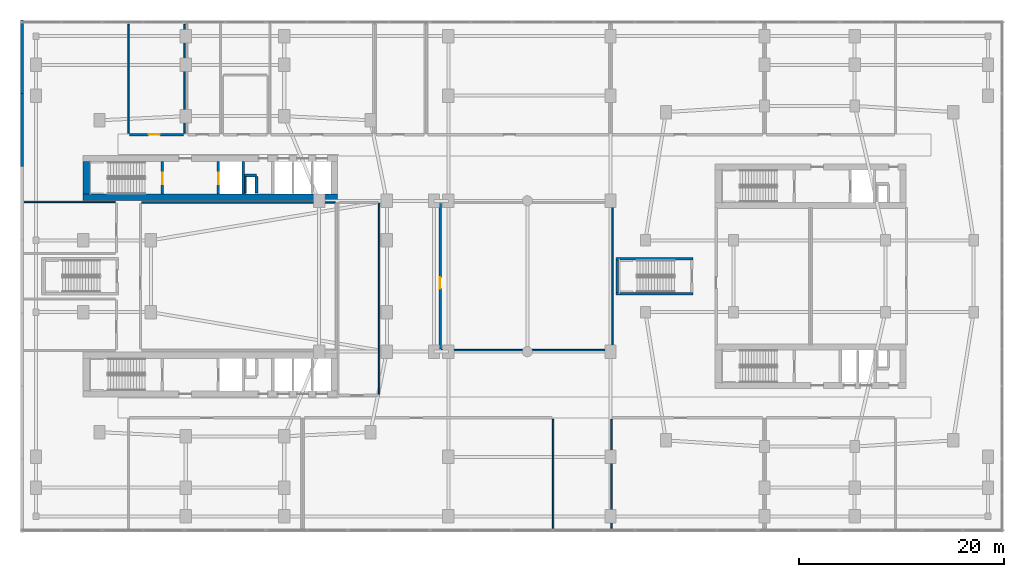
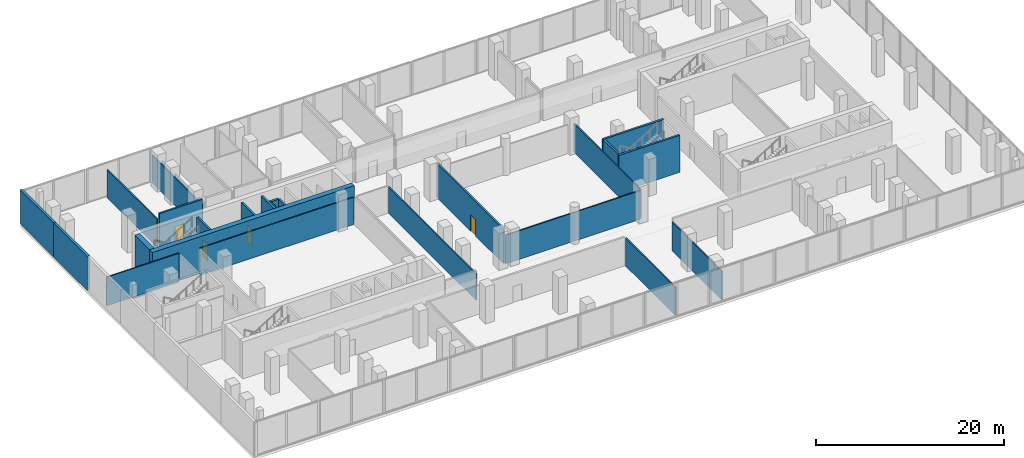
# One storey, part 14 of 23: 24 walls, 4 doors, 4 openings.
"""IFC4 building model written with IfcOpenShell, lengths in metres."""

from ifc_helpers import new_model, si_unit, derived_unit, direction, frame, frame_2d, origin, place, context, subcontext, project, spatial, rectangle, extrude, material, layer, layer_set, type_object, element, fill, save


model = new_model("IFC4")

# Units and contexts
model_context = context("Model", 3, precision=1e-05, world=origin(), true_north=direction((0.0, 1.0)))
body_context = subcontext(model_context, "Body", "Model", "MODEL_VIEW")
ifc_project = project(units=[si_unit("LENGTHUNIT", "METRE"), si_unit("AREAUNIT", "SQUARE_METRE"), si_unit("VOLUMEUNIT", "CUBIC_METRE"), si_unit("PLANEANGLEUNIT", "RADIAN"), si_unit("MASSUNIT", "GRAM", prefix="KILO"), derived_unit("THERMALTRANSMITTANCEUNIT", [(si_unit("POWERUNIT", "WATT"), 1), (si_unit("LENGTHUNIT", "METRE"), -2), (si_unit("THERMODYNAMICTEMPERATUREUNIT", "KELVIN"), -1)])], contexts=[model_context])

# Site, building, storey
site_placement = place(None, origin())
site = spatial("IfcSite", under=ifc_project, at=site_placement, CompositionType="ELEMENT")
building_placement = place(site_placement, origin())
building = spatial("IfcBuilding", under=site, at=building_placement, Name="Kivonza Crest Hotel", CompositionType="ELEMENT")
storey_placement = place(building_placement, frame((0.0, 0.0, 5.39990234375)))
storey = spatial("IfcBuildingStorey", under=building, at=storey_placement, Name="L01", CompositionType="ELEMENT", Elevation=5.39990234375)

# Wall, opening, door
ifc_material_1 = material(Name="Autoclaved aerated concrete blockwork", Category="masonry")
ifc_layer_1 = layer(ifc_material_1, 0.219970703125)
ifc_layer_set_1 = layer_set([ifc_layer_1], Name="Autoclaved aerated concrete blockwork")
wall_type_1 = type_object("IfcWallType", Name="WL-ACOU-220", PredefinedType="SOLIDWALL", material=ifc_layer_set_1)
wall_1_placement = place(storey_placement, frame((41.0, 17.89990234375, 0.0), z_axis=(0.0, 0.0, 1.0), x_axis=(0.0, 1.0, 0.0)))
wall_1 = element("IfcWall", 1, at=wall_1_placement, inside=storey, type_object=wall_type_1, Name="L01 interior partition WA-L01-RET-GAL-W", PredefinedType="SOLIDWALL", context=body_context, shape_type="SweptSolid", body=[
    extrude(rectangle(XDim=14.2001953125, YDim=0.219970703125, at=frame_2d((7.10009765625, 0.0))), origin(), (0.0, 0.0, 1.0), 4.4501953125),
])
opening_1_placement = place(wall_1_placement, frame((5.885009765625, 0.0, 0.0)))
opening_1 = element("IfcOpeningElement", 2, at=opening_1_placement, cuts=wall_1, Name="Opening DF-60M", PredefinedType="OPENING", context=body_context, shape_type="SweptSolid", body=[
    extrude(rectangle(XDim=1.10009765625, YDim=2.10009765625, at=frame_2d((0.550048828125, 1.050048828125))), frame((0.0, 0.1201171875, 0.0), z_axis=(0.0, -1.0, 0.0), x_axis=(1.0, 0.0, 0.0)), (0.0, 0.0, 1.0), 0.239990234375),
])
ifc_material_2 = material(Name="Hardwood timber oak", Category="wood")
door_type_1 = type_object("IfcDoorType", Name="DR-FD60-1100", OperationType="NOTDEFINED", PredefinedType="DOOR", material=ifc_material_2)
door_1_placement = place(opening_1_placement, frame((1.10009765625, 0.0, 0.0), z_axis=(0.0, 0.0, 1.0), x_axis=(-1.0, 0.0, 0.0)))
door_1 = element("IfcDoor", 3, at=door_1_placement, inside=storey, type_object=door_type_1, Name="L01 Upper Podium Retail Boutique door", OperationType="SINGLE_SWING_LEFT", OverallHeight=2.10009765625, OverallWidth=1.10009765625, PredefinedType="DOOR", context=body_context, shape_type="SweptSolid", body=[
    extrude(rectangle(XDim=1.10009765625, YDim=2.10009765625, at=frame_2d((0.550048828125, 1.050048828125))), frame((0.0, 0.02490234375, 0.0), z_axis=(0.0, -1.0, 0.0), x_axis=(1.0, 0.0, 0.0)), (0.0, 0.0, 1.0), 0.050048828125),
])
fill(opening_1, door_1)

wall_2_placement = place(storey_placement, frame((10.699951171875, 38.800048828125, 0.0), z_axis=(0.0, 0.0, 1.0), x_axis=(1.0, 0.0, 0.0)))
wall_2 = element("IfcWall", 4, at=wall_2_placement, inside=storey, type_object=wall_type_1, Name="L01 interior partition WA-L01-BOH-STR-S", PredefinedType="SOLIDWALL", context=body_context, shape_type="SweptSolid", body=[
    extrude(rectangle(XDim=5.300048828125, YDim=0.219970703125, at=frame_2d((2.64990234375, 0.0))), origin(), (0.0, 0.0, 1.0), 4.4501953125),
])
opening_2_placement = place(wall_2_placement, frame((1.8798828125, 0.0, 0.0)))
opening_2 = element("IfcOpeningElement", 5, at=opening_2_placement, cuts=wall_2, Name="Opening DF-60M", PredefinedType="OPENING", context=body_context, shape_type="SweptSolid", body=[
    extrude(rectangle(XDim=1.10009765625, YDim=2.10009765625, at=frame_2d((0.550048828125, 1.050048828125))), frame((0.0, 0.1201171875, 0.0), z_axis=(0.0, -1.0, 0.0), x_axis=(1.0, 0.0, 0.0)), (0.0, 0.0, 1.0), 0.239990234375),
])
door_2_placement = place(opening_2_placement, origin())
door_2 = element("IfcDoor", 6, at=door_2_placement, inside=storey, type_object=door_type_1, Name="L01 Banquet Tableware Store door", OperationType="SINGLE_SWING_LEFT", OverallHeight=2.10009765625, OverallWidth=1.10009765625, PredefinedType="DOOR", context=body_context, shape_type="SweptSolid", body=[
    extrude(rectangle(XDim=1.10009765625, YDim=2.10009765625, at=frame_2d((0.550048828125, 1.050048828125))), frame((0.0, 0.02490234375, 0.0), z_axis=(0.0, -1.0, 0.0), x_axis=(1.0, 0.0, 0.0)), (0.0, 0.0, 1.0), 0.050048828125),
])
fill(opening_2, door_2)

# Walls
ifc_material_3 = material(Name="Concrete C60/75", Category="concrete")
ifc_layer_2 = layer(ifc_material_3, 0.60009765625)
ifc_layer_set_2 = layer_set([ifc_layer_2], Name="Concrete C60/75")
wall_type_2 = type_object("IfcWallType", Name="WL-CORE-600", PredefinedType="SHEAR", material=ifc_layer_set_2)
wall_3_placement = place(storey_placement, frame((6.199951171875, 32.699951171875, 0.0), z_axis=(0.0, 0.0, 1.0), x_axis=(1.0, 0.0, 0.0)))
element("IfcWall", 7, at=wall_3_placement, inside=storey, type_object=wall_type_2, Name="Core wall T1-N South L01", PredefinedType="SHEAR", context=body_context, shape_type="SweptSolid", body=[
    extrude(rectangle(XDim=24.800048828125, YDim=0.60009765625, at=frame_2d((12.39990234375, 0.0))), origin(), (0.0, 0.0, 1.0), 4.800048828125),
])
wall_4_placement = place(storey_placement, frame((6.5, 33.0, 0.0), z_axis=(0.0, 0.0, 1.0), x_axis=(0.0, 1.0, 0.0)))
element("IfcWall", 8, at=wall_4_placement, inside=storey, type_object=wall_type_2, Name="Core wall T1-N West L01", PredefinedType="SHEAR", context=body_context, shape_type="SweptSolid", body=[
    extrude(rectangle(XDim=3.159912109375, YDim=0.60009765625, at=frame_2d((1.580078125, 0.0))), origin(), (0.0, 0.0, 1.0), 4.800048828125),
])
ifc_material_4 = material(Name="Precast concrete C40/50", Category="concrete")
ifc_layer_3 = layer(ifc_material_4, 0.300048828125)
ifc_layer_set_3 = layer_set([ifc_layer_3], Name="Precast concrete C40/50")
wall_type_3 = type_object("IfcWallType", Name="WL-EXT-300", PredefinedType="STANDARD", material=ifc_layer_set_3)
wall_5_placement = place(storey_placement, frame((0.22998046875, 49.97509765625, 0.0), z_axis=(0.0, 0.0, 1.0), x_axis=(0.0, -1.0, 0.0)))
element("IfcWall", 9, at=wall_5_placement, inside=storey, type_object=wall_type_3, Name="L01 POD exterior insulated wall 32", PredefinedType="STANDARD", context=body_context, shape_type="SweptSolid", body=[
    extrude(rectangle(XDim=7.18310546875, YDim=0.300048828125, at=frame_2d((3.591552734375, 0.0))), origin(), (0.0, 0.0, 1.0), 4.4501953125),
])
wall_6_placement = place(storey_placement, frame((0.22998046875, 42.80810546875, 0.0), z_axis=(0.0, 0.0, 1.0), x_axis=(0.0, -1.0, 0.0)))
element("IfcWall", 10, at=wall_6_placement, inside=storey, type_object=wall_type_3, Name="L01 POD exterior insulated wall 33", PredefinedType="STANDARD", context=body_context, shape_type="SweptSolid", body=[
    extrude(rectangle(XDim=7.135986328125, YDim=0.300048828125, at=frame_2d((3.56787109375, 0.0))), origin(), (0.0, 0.0, 1.0), 4.4501953125),
])
ifc_material_5 = material(Name="Concrete blockwork fire-compartment wall", Category="masonry")
ifc_layer_4 = layer(ifc_material_5, 0.25)
ifc_layer_set_4 = layer_set([ifc_layer_4], Name="Concrete blockwork fire-compartment wall")
wall_type_4 = type_object("IfcWallType", Name="WL-FIRE-250", PredefinedType="SOLIDWALL", material=ifc_layer_set_4)
wall_7_placement = place(storey_placement, frame((23.10009765625, 33.10009765625, 0.0), z_axis=(0.0, 0.0, 1.0), x_axis=(0.0, 1.0, 0.0)))
element("IfcWall", 11, at=wall_7_placement, inside=storey, type_object=wall_type_4, Name="L01 interior partition WA-L01-T1-N-MEPR-E", PredefinedType="SOLIDWALL", context=body_context, shape_type="SweptSolid", body=[
    extrude(rectangle(XDim=1.619873046875, YDim=0.25, at=frame_2d((0.81005859375, 0.0))), origin(), (0.0, 0.0, 1.0), 4.4501953125),
])
wall_8_placement = place(storey_placement, frame((21.949951171875, 34.820068359375, 0.0), z_axis=(0.0, 0.0, 1.0), x_axis=(1.0, 0.0, 0.0)))
element("IfcWall", 12, at=wall_8_placement, inside=storey, type_object=wall_type_4, Name="L01 interior partition WA-L01-T1-N-MEPR-H", PredefinedType="SOLIDWALL", context=body_context, shape_type="SweptSolid", body=[
    extrude(rectangle(XDim=1.150146484375, YDim=0.25, at=frame_2d((0.5751953125, 0.0))), origin(), (0.0, 0.0, 1.0), 4.4501953125),
])
ifc_material_6 = material(Name="Twin-stud acoustic gypsum board partition", Category="gypsum")
ifc_layer_5 = layer(ifc_material_6, 0.14990234375)
ifc_layer_set_5 = layer_set([ifc_layer_5], Name="Twin-stud acoustic gypsum board partition")
wall_type_5 = type_object("IfcWallType", Name="WL-PART-150", PredefinedType="PARTITIONING", material=ifc_layer_set_5)
wall_9_placement = place(storey_placement, frame((22.030029296875, 33.10009765625, 0.0), z_axis=(0.0, 0.0, 1.0), x_axis=(0.0, 1.0, 0.0)))
element("IfcWall", 13, at=wall_9_placement, inside=storey, type_object=wall_type_5, Name="L01 interior partition WA-L01-T1-N-MEPR-W", PredefinedType="PARTITIONING", context=body_context, shape_type="SweptSolid", body=[
    extrude(rectangle(XDim=1.619873046875, YDim=0.14990234375, at=frame_2d((0.81005859375, 0.0))), origin(), (0.0, 0.0, 1.0), 4.4501953125),
])
wall_10_placement = place(storey_placement, frame((11.89990234375, 32.199951171875, 0.0), z_axis=(0.0, 0.0, 1.0), x_axis=(1.0, 0.0, 0.0)))
element("IfcWall", 14, at=wall_10_placement, inside=storey, type_object=wall_type_5, Name="L01 interior partition WP-L01-DIN-ALL-BN", PredefinedType="PARTITIONING", context=body_context, shape_type="SweptSolid", body=[
    extrude(rectangle(XDim=18.85009765625, YDim=0.14990234375, at=frame_2d((9.425048828125, 0.0))), origin(), (0.0, 0.0, 1.0), 3.525146484375),
])
wall_11_placement = place(storey_placement, frame((35.050048828125, 13.5, 0.0), z_axis=(0.0, 0.0, 1.0), x_axis=(0.0, 1.0, 0.0)))
element("IfcWall", 15, at=wall_11_placement, inside=storey, type_object=wall_type_5, Name="L01 interior partition WP-L01-DIN-SPC-BE", PredefinedType="PARTITIONING", context=body_context, shape_type="SweptSolid", body=[
    extrude(rectangle(XDim=18.60009765625, YDim=0.14990234375, at=frame_2d((9.300048828125, 0.0))), origin(), (0.0, 0.0, 1.0), 3.425048828125),
])
wall_12_placement = place(storey_placement, frame((52.0, 0.449951171875, 0.0), z_axis=(0.0, 0.0, 1.0), x_axis=(0.0, 1.0, 0.0)))
element("IfcWall", 16, at=wall_12_placement, inside=storey, type_object=wall_type_5, Name="L01 interior partition WP-L01-FOY-1-BE", PredefinedType="PARTITIONING", context=body_context, shape_type="SweptSolid", body=[
    extrude(rectangle(XDim=10.60009765625, YDim=0.14990234375, at=frame_2d((5.300048828125, 0.0))), origin(), (0.0, 0.0, 1.0), 3.625),
])
wall_13_placement = place(storey_placement, frame((57.699951171875, 0.449951171875, 0.0), z_axis=(0.0, 0.0, 1.0), x_axis=(0.0, 1.0, 0.0)))
element("IfcWall", 17, at=wall_13_placement, inside=storey, type_object=wall_type_5, Name="L01 interior partition WP-L01-FOY-1M-BW", PredefinedType="PARTITIONING", context=body_context, shape_type="SweptSolid", body=[
    extrude(rectangle(XDim=10.60009765625, YDim=0.14990234375, at=frame_2d((5.300048828125, 0.0))), origin(), (0.0, 0.0, 1.0), 3.72509765625),
])
wall_14_placement = place(storey_placement, frame((57.800048828125, 17.89990234375, 0.0), z_axis=(0.0, 0.0, 1.0), x_axis=(0.0, 1.0, 0.0)))
element("IfcWall", 18, at=wall_14_placement, inside=storey, type_object=wall_type_5, Name="L01 interior partition WP-L01-RET-GAL-BE", PredefinedType="PARTITIONING", context=body_context, shape_type="SweptSolid", body=[
    extrude(rectangle(XDim=14.2001953125, YDim=0.14990234375, at=frame_2d((7.10009765625, 0.0))), origin(), (0.0, 0.0, 1.0), 3.72509765625),
])
wall_15_placement = place(storey_placement, frame((41.10009765625, 17.800048828125, 0.0), z_axis=(0.0, 0.0, 1.0), x_axis=(1.0, 0.0, 0.0)))
element("IfcWall", 19, at=wall_15_placement, inside=storey, type_object=wall_type_5, Name="L01 interior partition WP-L01-RET-GAL-BS", PredefinedType="PARTITIONING", context=body_context, shape_type="SweptSolid", body=[
    extrude(rectangle(XDim=16.599853515625, YDim=0.14990234375, at=frame_2d((8.2998046875, 0.0))), origin(), (0.0, 0.0, 1.0), 3.72509765625),
])
for number, where, z_axis, x_axis, name in (
    (20, (10.60009765625, 38.949951171875, 0.0), (0.0, 0.0, 1.0), (0.0, 1.0, 0.0), "L01 interior partition WP-L01-BOH-STR-BW"),
    (21, (16.10009765625, 38.949951171875, 0.0), (0.0, 0.0, 1.0), (0.0, 1.0, 0.0), "L01 interior partition WP-L01-BOH-STR-BE"),
):
    element("IfcWall", number, at=place(storey_placement, frame(where, z_axis=z_axis, x_axis=x_axis)), inside=storey, type_object=wall_type_5, Name=name, PredefinedType="PARTITIONING", context=body_context, shape_type="SweptSolid", body=[
        extrude(rectangle(XDim=10.60009765625, YDim=0.14990234375, at=frame_2d((5.300048828125, 0.0))), origin(), (0.0, 0.0, 1.0), 3.625),
    ])
wall_16_placement = place(storey_placement, frame((0.449951171875, 32.25, 0.0), z_axis=(0.0, 0.0, 1.0), x_axis=(1.0, 0.0, 0.0)))
element("IfcWall", 22, at=wall_16_placement, inside=storey, type_object=wall_type_5, Name="L01 interior partition WP-L01-W-SAL1N-BN", PredefinedType="PARTITIONING", context=body_context, shape_type="SweptSolid", body=[
    extrude(rectangle(XDim=8.900146484375, YDim=0.14990234375, at=frame_2d((4.4501953125, 0.0))), origin(), (0.0, 0.0, 1.0), 3.72509765625),
])

# Wall, opening, door
ifc_material_7 = material(Name="Concrete C50/60", Category="concrete")
ifc_layer_6 = layer(ifc_material_7, 0.25)
ifc_layer_set_6 = layer_set([ifc_layer_6], Name="Concrete C50/60")
wall_type_6 = type_object("IfcWallType", Name="WL-SHAFT-250", PredefinedType="STANDARD", material=ifc_layer_set_6)
wall_17_placement = place(storey_placement, frame((13.925048828125, 33.0, 0.0), z_axis=(0.0, 0.0, 1.0), x_axis=(0.0, 1.0, 0.0)))
wall_17 = element("IfcWall", 23, at=wall_17_placement, inside=storey, type_object=wall_type_6, Name="Core shaft wall T1-N STAIR L01", PredefinedType="STANDARD", context=body_context, shape_type="SweptSolid", body=[
    extrude(rectangle(XDim=3.159912109375, YDim=0.25, at=frame_2d((1.580078125, 0.0))), origin(), (0.0, 0.0, 1.0), 4.4501953125),
])
opening_3_placement = place(wall_17_placement, frame((0.97998046875, 0.0, 0.0)))
opening_3 = element("IfcOpeningElement", 24, at=opening_3_placement, cuts=wall_17, Name="Opening DF-120", PredefinedType="OPENING", context=body_context, shape_type="SweptSolid", body=[
    extrude(rectangle(XDim=1.10009765625, YDim=2.14990234375, at=frame_2d((0.550048828125, 1.074951171875))), frame((0.0, 0.135009765625, 0.0), z_axis=(0.0, -1.0, 0.0), x_axis=(1.0, 0.0, 0.0)), (0.0, 0.0, 1.0), 0.27001953125),
])
ifc_material_8 = material(Name="Galvanised steel", Category="steel")
door_type_2 = type_object("IfcDoorType", Name="DR-FD120-1100", OperationType="NOTDEFINED", PredefinedType="DOOR", material=ifc_material_8)
door_3_placement = place(opening_3_placement, frame((1.10009765625, 0.0, 0.0), z_axis=(0.0, 0.0, 1.0), x_axis=(-1.0, 0.0, 0.0)))
door_3 = element("IfcDoor", 25, at=door_3_placement, inside=storey, type_object=door_type_2, Name="L01 T1-N stair fire door", OperationType="SINGLE_SWING_LEFT", OverallHeight=2.14990234375, OverallWidth=1.10009765625, PredefinedType="DOOR", context=body_context, shape_type="SweptSolid", body=[
    extrude(rectangle(XDim=1.10009765625, YDim=2.14990234375, at=frame_2d((0.550048828125, 1.074951171875))), frame((0.0, 0.02490234375, 0.0), z_axis=(0.0, -1.0, 0.0), x_axis=(1.0, 0.0, 0.0)), (0.0, 0.0, 1.0), 0.050048828125),
])
fill(opening_3, door_3)

wall_18_placement = place(storey_placement, frame((19.375, 33.0, 0.0), z_axis=(0.0, 0.0, 1.0), x_axis=(0.0, 1.0, 0.0)))
wall_18 = element("IfcWall", 26, at=wall_18_placement, inside=storey, type_object=wall_type_6, Name="Core shaft wall T1-N FFL-W L01", PredefinedType="STANDARD", context=body_context, shape_type="SweptSolid", body=[
    extrude(rectangle(XDim=3.159912109375, YDim=0.25, at=frame_2d((1.580078125, 0.0))), origin(), (0.0, 0.0, 1.0), 4.4501953125),
])
opening_4_placement = place(wall_18_placement, frame((0.97998046875, 0.0, 0.0)))
opening_4 = element("IfcOpeningElement", 27, at=opening_4_placement, cuts=wall_18, Name="Opening LD-120", PredefinedType="OPENING", context=body_context, shape_type="SweptSolid", body=[
    extrude(rectangle(XDim=1.10009765625, YDim=2.14990234375, at=frame_2d((0.550048828125, 1.074951171875))), frame((0.0, 0.135009765625, 0.0), z_axis=(0.0, -1.0, 0.0), x_axis=(1.0, 0.0, 0.0)), (0.0, 0.0, 1.0), 0.27001953125),
])
ifc_material_9 = material(Name="Stainless steel", Category="steel")
door_type_3 = type_object("IfcDoorType", Name="DR-LD120-1100", OperationType="NOTDEFINED", PredefinedType="DOOR", material=ifc_material_9)
door_4_placement = place(opening_4_placement, origin())
door_4 = element("IfcDoor", 28, at=door_4_placement, inside=storey, type_object=door_type_3, Name="L01 FFL-T1-N firefighting lift sliding landing door", OperationType="DOUBLE_DOOR_SLIDING", OverallHeight=2.14990234375, OverallWidth=1.10009765625, PredefinedType="DOOR", context=body_context, shape_type="SweptSolid", body=[
    extrude(rectangle(XDim=1.10009765625, YDim=2.14990234375, at=frame_2d((0.550048828125, 1.074951171875))), frame((0.0, 0.02490234375, 0.0), z_axis=(0.0, -1.0, 0.0), x_axis=(1.0, 0.0, 0.0)), (0.0, 0.0, 1.0), 0.050048828125),
])
fill(opening_4, door_4)

# Walls
wall_19_placement = place(storey_placement, frame((21.824951171875, 33.0, 0.0), z_axis=(0.0, 0.0, 1.0), x_axis=(0.0, 1.0, 0.0)))
element("IfcWall", 29, at=wall_19_placement, inside=storey, type_object=wall_type_6, Name="Core shaft wall T1-N FFL-E L01", PredefinedType="STANDARD", context=body_context, shape_type="SweptSolid", body=[
    extrude(rectangle(XDim=3.159912109375, YDim=0.25, at=frame_2d((1.580078125, 0.0))), origin(), (0.0, 0.0, 1.0), 4.4501953125),
])
for number, where, z_axis, x_axis, name in (
    (30, (58.14990234375, 23.294921875, 0.0), (0.0, 0.0, 1.0), (1.0, 0.0, 0.0), "Podium stair enclosure wall ST-POD-E S L01"),
    (31, (58.14990234375, 26.705078125, 0.0), (0.0, 0.0, 1.0), (1.0, 0.0, 0.0), "Podium stair enclosure wall ST-POD-E N L01"),
):
    element("IfcWall", number, at=place(storey_placement, frame(where, z_axis=z_axis, x_axis=x_axis)), inside=storey, type_object=wall_type_6, Name=name, PredefinedType="STANDARD", context=body_context, shape_type="SweptSolid", body=[
        extrude(rectangle(XDim=7.5, YDim=0.25, at=frame_2d((3.75, 0.0))), origin(), (0.0, 0.0, 1.0), 4.800048828125),
    ])
wall_20_placement = place(storey_placement, frame((58.27490234375, 23.419921875, 0.0), z_axis=(0.0, 0.0, 1.0), x_axis=(0.0, 1.0, 0.0)))
element("IfcWall", 32, at=wall_20_placement, inside=storey, type_object=wall_type_6, Name="Podium stair enclosure wall ST-POD-E W L01", PredefinedType="STANDARD", context=body_context, shape_type="SweptSolid", body=[
    extrude(rectangle(XDim=3.16015625, YDim=0.25, at=frame_2d((1.580078125, 0.0))), origin(), (0.0, 0.0, 1.0), 4.800048828125),
])

save(model, "model.ifc")
